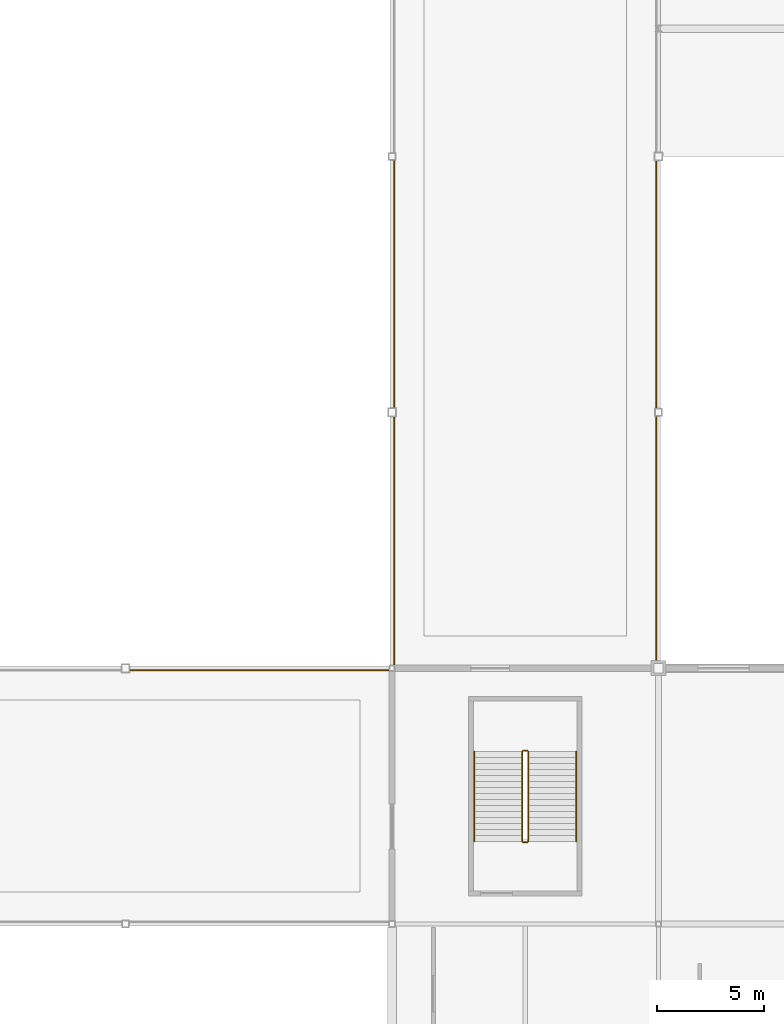
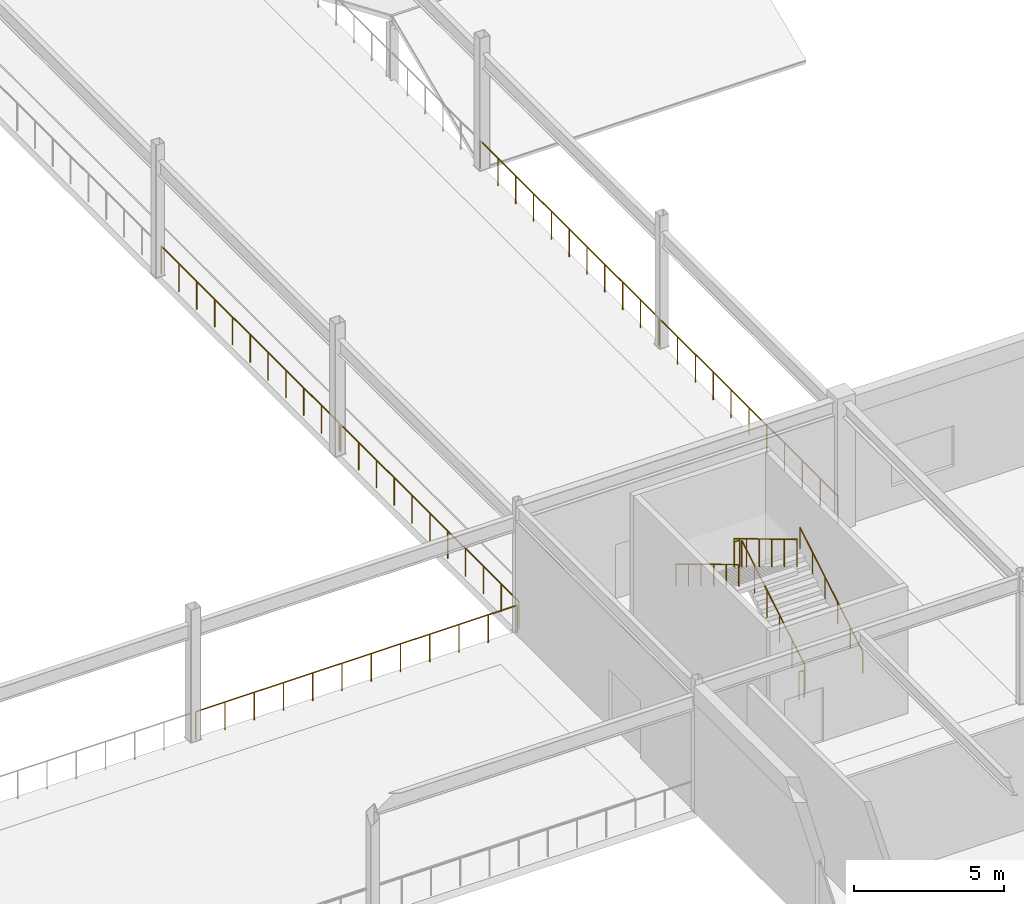
# One storey, part 96 of 105: 11 railings.
"""IFC4 building model written with IfcOpenShell, lengths in metres."""

import ifcopenshell
import ifcopenshell.guid

model = None  # the IFC model being written
_history = None  # IfcOwnerHistory: only IFC2X3 demands one
_inside = {}  # id of a spatial element -> (the spatial element, [elements in it])
_under = {}  # id of a project, library or spatial element -> (it, [spatial elements below it])
_declared = {}  # id of a project -> (the project, [libraries it declares])
_typed = {}  # id of a type object -> (the type object, [elements of that type])
_made_of = {}  # id of a material, layer set ... -> (it, [elements and type objects made of it])


def new_model(schema):
    """Start an empty IFC model of exactly this schema.

    Asked for "IFC4X3", IfcOpenShell would pick the latest addendum, in which some entities
    have other attributes; the version numbers below select the first issue.
    IFC2X3 requires an IfcOwnerHistory on every rooted entity: one is made here for all.
    """
    global model, _history
    if schema == "IFC4X3":
        model = ifcopenshell.file(schema_version=(4, 3, 0, 0))
    else:
        model = ifcopenshell.file(schema=schema)
    _inside.clear()
    _under.clear()
    _declared.clear()
    _typed.clear()
    _made_of.clear()
    _history = None
    if model.schema == "IFC2X3":
        org = make("IfcOrganization", Name="unknown")
        user = make(
            "IfcPersonAndOrganization",
            ThePerson=make("IfcPerson", FamilyName="unknown"),
            TheOrganization=org,
        )
        app = make(
            "IfcApplication",
            ApplicationDeveloper=org,
            Version="unknown",
            ApplicationFullName="unknown",
            ApplicationIdentifier="unknown",
        )
        _history = make(
            "IfcOwnerHistory",
            OwningUser=user,
            OwningApplication=app,
            ChangeAction="ADDED",
            CreationDate=0,
        )
    return model


def make(cls, **values):
    """One entity of the class cls with the attributes given. An attribute that is None is left unset."""
    return model.create_entity(
        cls, **{name: value for name, value in values.items() if value is not None}
    )


def rooted(cls, **values):
    """An entity with a GlobalId (a new one), such as an element, a storey or a relation."""
    return make(cls, GlobalId=ifcopenshell.guid.new(), OwnerHistory=_history, **values)


def si_unit(unit_type, name, prefix=None):
    """IfcSIUnit, for example si_unit("LENGTHUNIT", "METRE", prefix="MILLI")."""
    return make("IfcSIUnit", UnitType=unit_type, Prefix=prefix, Name=name)


def assignment(units):
    """IfcUnitAssignment: the units of a project."""
    return None if units is None else make("IfcUnitAssignment", Units=units)


def point(xyz):
    """IfcCartesianPoint."""
    return None if xyz is None else make("IfcCartesianPoint", Coordinates=xyz)


def direction(xyz):
    """IfcDirection."""
    return None if xyz is None else make("IfcDirection", DirectionRatios=xyz)


def frame(location, z_axis=None, x_axis=None):
    """IfcAxis2Placement3D, a coordinate frame: its origin and axes. An axis left out is left unset."""
    return make(
        "IfcAxis2Placement3D",
        Location=point(location),
        Axis=direction(z_axis),
        RefDirection=direction(x_axis),
    )


def frame_2d(location, x_axis=None):
    """IfcAxis2Placement2D, a coordinate frame in the plane: its origin and x axis."""
    return make(
        "IfcAxis2Placement2D", Location=point(location), RefDirection=direction(x_axis)
    )


def origin():
    """The frame at (0, 0, 0) with its axes left unset."""
    return frame((0.0, 0.0, 0.0))


def origin_2d():
    """The frame at (0, 0) in the plane with its x axis left unset."""
    return frame_2d((0.0, 0.0))


def place(relative_to, where):
    """IfcLocalPlacement: puts the frame where relative to a parent placement (None: the world)."""
    return make(
        "IfcLocalPlacement", PlacementRelTo=relative_to, RelativePlacement=where
    )


def context(
    kind, dimensions, precision=None, world=None, true_north=None, identifier=None
):
    """IfcGeometricRepresentationContext, for example the 3D "Model" context."""
    return make(
        "IfcGeometricRepresentationContext",
        ContextIdentifier=identifier,
        ContextType=kind,
        CoordinateSpaceDimension=dimensions,
        Precision=precision,
        WorldCoordinateSystem=world,
        TrueNorth=true_north,
    )


def subcontext(parent, identifier, kind, view, scale=None):
    """IfcGeometricRepresentationSubContext, for example "Body" below "Model"."""
    return make(
        "IfcGeometricRepresentationSubContext",
        ContextIdentifier=identifier,
        ContextType=kind,
        ParentContext=parent,
        TargetScale=scale,
        TargetView=view,
    )


def project(units=None, contexts=None):
    """IfcProject with its units and contexts."""
    return rooted(
        "IfcProject",
        Name="project",
        RepresentationContexts=contexts,
        UnitsInContext=assignment(units),
    )


def spatial(cls, under=None, at=None, **own):
    """A site, building, storey or space (cls), placed at a placement, below another one or the project."""
    s = rooted(cls, ObjectPlacement=at, **own)
    if under is not None:
        _under.setdefault(under.id(), (under, []))[1].append(s)
    return s


def profile(cls, at=None, kind="AREA", **sizes):
    """A parametric profile (cls). Its sizes go by their IFC names, for example OverallWidth=200.0."""
    return make(cls, ProfileType=kind, Position=at, **sizes)


def circle(**sizes):
    """IfcCircleProfileDef."""
    return profile("IfcCircleProfileDef", **sizes)


def extrude(swept, where, along, depth):
    """IfcExtrudedAreaSolid: the profile swept, set in the frame where, extruded along a direction by depth."""
    return make(
        "IfcExtrudedAreaSolid",
        SweptArea=swept,
        Position=where,
        ExtrudedDirection=direction(along),
        Depth=depth,
    )


def shape(context_of_items, identifier, shape_type, items):
    """IfcShapeRepresentation: the items that make up one representation, for example the "Body"."""
    return make(
        "IfcShapeRepresentation",
        ContextOfItems=context_of_items,
        RepresentationIdentifier=identifier,
        RepresentationType=shape_type,
        Items=items,
    )


def material(Name=None, Category=None):
    """IfcMaterial."""
    return make("IfcMaterial", Name=Name, Category=Category)


def layer(
    of_material, thickness, ventilated=None, Name=None, Category=None, Priority=None
):
    """IfcMaterialLayer: one layer of a wall or slab, of a material (None: an air gap)."""
    return make(
        "IfcMaterialLayer",
        Material=of_material,
        LayerThickness=thickness,
        IsVentilated=ventilated,
        Name=Name,
        Category=Category,
        Priority=Priority,
    )


def layer_set(layers, Name=None):
    """IfcMaterialLayerSet."""
    return make("IfcMaterialLayerSet", MaterialLayers=layers, LayerSetName=Name)


def made_of(thing, what):
    """Note that an element or type object is made of a material, layer set ...; save() writes the relation."""
    if what is not None:
        _made_of.setdefault(what.id(), (what, []))[1].append(thing)
    return thing


def type_object(cls, material=None, **own):
    """A type object (cls), such as IfcWallType, which elements share."""
    return made_of(rooted(cls, **own), material)


def element(
    cls,
    number,
    at=None,
    inside=None,
    cuts=None,
    type_object=None,
    material=None,
    context=None,
    identifier="Body",
    shape_type=None,
    held_by="IfcProductDefinitionShape",
    body=None,
    shapes=None,
    **own,
):
    """One element of the class cls, such as IfcWall. Its Tag is "e" and its number.

    at: its placement. inside: the storey or other place that contains it. cuts: it is an
    opening in that element (IfcRelVoidsElement). A single representation is given by context,
    identifier, shape_type and body (its items); several are given by shapes. held_by: the class
    of the entity that holds the representations. save() writes the other relations.
    """
    e = rooted(cls, Tag="e%d" % number, ObjectPlacement=at, **own)
    if body is not None:
        shapes = [shape(context, identifier, shape_type, body)]
    if shapes is not None:
        e.Representation = make(held_by, Representations=shapes)
    if inside is not None:
        _inside.setdefault(inside.id(), (inside, []))[1].append(e)
    if cuts is not None:
        rooted(
            "IfcRelVoidsElement", RelatingBuildingElement=cuts, RelatedOpeningElement=e
        )
    if type_object is not None:
        _typed.setdefault(type_object.id(), (type_object, []))[1].append(e)
    return made_of(e, material)


def aggregate(whole, parts):
    """IfcRelAggregates: a whole, such as a stair, and the parts it consists of."""
    return rooted("IfcRelAggregates", RelatingObject=whole, RelatedObjects=parts)


def save(model, path):
    """Write the relations noted so far, then the file.

    IfcRelAggregates (storeys below a building ...), IfcRelContainedInSpatialStructure (elements
    in a storey), IfcRelDefinesByType, IfcRelAssociatesMaterial and IfcRelDeclares: one each for
    every whole, place, type object, material and project.
    """
    for whole, parts in _under.values():
        aggregate(whole, parts)
    for where, things in _inside.values():
        rooted(
            "IfcRelContainedInSpatialStructure",
            RelatedElements=things,
            RelatingStructure=where,
        )
    for kind, things in _typed.values():
        rooted("IfcRelDefinesByType", RelatedObjects=things, RelatingType=kind)
    for what, things in _made_of.values():
        rooted("IfcRelAssociatesMaterial", RelatedObjects=things, RelatingMaterial=what)
    for by, libraries in _declared.values():
        rooted("IfcRelDeclares", RelatingContext=by, RelatedDefinitions=libraries)
    model.write(path)


model = new_model("IFC4")

# Units and contexts
model_context = context("Model", 3, precision=1e-05, world=origin(), true_north=direction((0.0, 1.0)))
body_context = subcontext(model_context, "Body", "Model", "MODEL_VIEW")
ifc_project = project(units=[si_unit("LENGTHUNIT", "METRE"), si_unit("AREAUNIT", "SQUARE_METRE"), si_unit("VOLUMEUNIT", "CUBIC_METRE"), si_unit("PLANEANGLEUNIT", "RADIAN"), si_unit("MASSUNIT", "GRAM", prefix="KILO")], contexts=[model_context])

# Site, building, storey
site_placement = place(None, origin())
site = spatial("IfcSite", under=ifc_project, at=site_placement, CompositionType="ELEMENT")
building_placement = place(site_placement, origin())
building = spatial("IfcBuilding", under=site, at=building_placement, Name="Kazenohara Klinker Stadium", CompositionType="ELEMENT")
storey_placement = place(building_placement, frame((0.0, 0.0, 20.39990234375)))
storey = spatial("IfcBuildingStorey", under=building, at=storey_placement, Name="L04", CompositionType="ELEMENT", Elevation=20.39990234375)

# Railings
ifc_material_1 = material(Name="Tempered laminated glass and stainless steel 316 balustrade", Category="steel")
ifc_layer_1 = layer(ifc_material_1, 0.090087890625)
ifc_layer_set_1 = layer_set([ifc_layer_1], Name="Tempered laminated glass and stainless steel 316 balustrade")
railing_type_1 = type_object("IfcRailingType", Name="RL-BAL-1150", PredefinedType="BALUSTRADE", material=ifc_layer_set_1)
railing_1_placement = place(storey_placement, frame((162.550048828125, 35.89990234375, 0.0)))
element("IfcRailing", 1, at=railing_1_placement, inside=storey, type_object=railing_type_1, Name="Roof garden terrace safety balustrade BL01-020", PredefinedType="BALUSTRADE", context=body_context, shape_type="SweptSolid", body=[
    extrude(circle(Radius=0.02392578125, at=origin_2d()), frame((0.0, 0.0, 1.1259765625), z_axis=(1.0, 0.0, 0.0), x_axis=(0.0, 1.0, 0.0)), (0.0, 0.0, 1.0), 12.39990234375),
    extrude(circle(Radius=0.02099609375, at=origin_2d()), origin(), (0.0, 0.0, 1.0), 1.101806640625),
    extrude(circle(Radius=0.02099609375, at=origin_2d()), frame((1.127197265625, 0.0, 0.0)), (0.0, 0.0, 1.0), 1.101806640625),
    extrude(circle(Radius=0.02099609375, at=origin_2d()), frame((2.254638671875, 0.0, 0.0)), (0.0, 0.0, 1.0), 1.101806640625),
    extrude(circle(Radius=0.02099609375, at=origin_2d()), frame((3.3818359375, 0.0, 0.0)), (0.0, 0.0, 1.0), 1.101806640625),
    extrude(circle(Radius=0.02099609375, at=origin_2d()), frame((4.509033203125, 0.0, 0.0)), (0.0, 0.0, 1.0), 1.101806640625),
    extrude(circle(Radius=0.02099609375, at=origin_2d()), frame((5.63623046875, 0.0, 0.0)), (0.0, 0.0, 1.0), 1.101806640625),
    extrude(circle(Radius=0.02099609375, at=origin_2d()), frame((6.763671875, 0.0, 0.0)), (0.0, 0.0, 1.0), 1.101806640625),
    extrude(circle(Radius=0.02099609375, at=origin_2d()), frame((7.890869140625, 0.0, 0.0)), (0.0, 0.0, 1.0), 1.101806640625),
    extrude(circle(Radius=0.02099609375, at=origin_2d()), frame((9.01806640625, 0.0, 0.0)), (0.0, 0.0, 1.0), 1.101806640625),
    extrude(circle(Radius=0.02099609375, at=origin_2d()), frame((10.145263671875, 0.0, 0.0)), (0.0, 0.0, 1.0), 1.101806640625),
    extrude(circle(Radius=0.02099609375, at=origin_2d()), frame((11.272705078125, 0.0, 0.0)), (0.0, 0.0, 1.0), 1.101806640625),
    extrude(circle(Radius=0.02099609375, at=origin_2d()), frame((12.39990234375, 0.0, 0.0)), (0.0, 0.0, 1.0), 1.101806640625),
])
for number, where, name in (
    (2, (175.10009765625, 36.050048828125, 0.0), "Roof garden terrace safety balustrade BL01-021"),
    (3, (187.39990234375, 36.050048828125, 0.0), "Roof garden terrace safety balustrade BL01-022"),
    (4, (175.10009765625, 48.050048828125, 0.0), "Roof garden terrace safety balustrade BL01-023"),
    (5, (187.39990234375, 48.050048828125, 0.0), "Roof garden terrace safety balustrade BL01-024"),
):
    element("IfcRailing", number, at=place(storey_placement, frame(where)), inside=storey, type_object=railing_type_1, Name=name, PredefinedType="BALUSTRADE", context=body_context, shape_type="SweptSolid", body=[
        extrude(circle(Radius=0.02392578125, at=origin_2d()), frame((0.0, 0.0, 1.1259765625), z_axis=(0.0, 1.0, 0.0), x_axis=(-1.0, 0.0, 0.0)), (0.0, 0.0, 1.0), 11.89990234375),
        extrude(circle(Radius=0.02099609375, at=origin_2d()), origin(), (0.0, 0.0, 1.0), 1.101806640625),
        extrude(circle(Radius=0.02099609375, at=origin_2d()), frame((0.0, 1.18994140625, 0.0)), (0.0, 0.0, 1.0), 1.101806640625),
        extrude(circle(Radius=0.02099609375, at=origin_2d()), frame((0.0, 2.3798828125, 0.0)), (0.0, 0.0, 1.0), 1.101806640625),
        extrude(circle(Radius=0.02099609375, at=origin_2d()), frame((0.0, 3.570068359375, 0.0)), (0.0, 0.0, 1.0), 1.101806640625),
        extrude(circle(Radius=0.02099609375, at=origin_2d()), frame((0.0, 4.760009765625, 0.0)), (0.0, 0.0, 1.0), 1.101806640625),
        extrude(circle(Radius=0.02099609375, at=origin_2d()), frame((0.0, 5.949951171875, 0.0)), (0.0, 0.0, 1.0), 1.101806640625),
        extrude(circle(Radius=0.02099609375, at=origin_2d()), frame((0.0, 7.139892578125, 0.0)), (0.0, 0.0, 1.0), 1.101806640625),
        extrude(circle(Radius=0.02099609375, at=origin_2d()), frame((0.0, 8.329833984375, 0.0)), (0.0, 0.0, 1.0), 1.101806640625),
        extrude(circle(Radius=0.02099609375, at=origin_2d()), frame((0.0, 9.52001953125, 0.0)), (0.0, 0.0, 1.0), 1.101806640625),
        extrude(circle(Radius=0.02099609375, at=origin_2d()), frame((0.0, 10.7099609375, 0.0)), (0.0, 0.0, 1.0), 1.101806640625),
        extrude(circle(Radius=0.02099609375, at=origin_2d()), frame((0.0, 11.89990234375, 0.0)), (0.0, 0.0, 1.0), 1.101806640625),
    ])
ifc_material_2 = material(Name="Brushed stainless steel 304 handrail", Category="steel")
ifc_layer_2 = layer(ifc_material_2, 0.050048828125)
ifc_layer_set_2 = layer_set([ifc_layer_2], Name="Brushed stainless steel 304 handrail")
railing_type_2 = type_object("IfcRailingType", Name="RL-HND-900", PredefinedType="HANDRAIL", material=ifc_layer_set_2)
railing_2_placement = place(storey_placement, frame((183.639892578125, 27.8798828125, 0.1689453125)))
element("IfcRailing", 6, at=railing_2_placement, inside=storey, type_object=railing_type_2, Name="L04 ST16 stair handrail 1", PredefinedType="HANDRAIL", context=body_context, shape_type="SweptSolid", body=[
    extrude(circle(Radius=0.02392578125, at=origin_2d()), frame((0.0, 0.0, 0.8759765625), z_axis=(0.0, 0.856489757249, 0.516164020179), x_axis=(-1.0, 0.0, 0.0)), (0.0, 0.0, 1.0), 4.904052734375),
    extrude(circle(Radius=0.02099609375, at=origin_2d()), origin(), (0.0, 0.0, 1.0), 0.851806640625),
    extrude(circle(Radius=0.02099609375, at=origin_2d()), frame((0.0, 0.840087890625, 0.50634765625)), (0.0, 0.0, 1.0), 0.851806640625),
    extrude(circle(Radius=0.02099609375, at=origin_2d()), frame((0.0, 1.68017578125, 1.012451171875)), (0.0, 0.0, 1.0), 0.851806640625),
    extrude(circle(Radius=0.02099609375, at=origin_2d()), frame((0.0, 2.52001953125, 1.518798828125)), (0.0, 0.0, 1.0), 0.851806640625),
    extrude(circle(Radius=0.02099609375, at=origin_2d()), frame((0.0, 3.360107421875, 2.02490234375)), (0.0, 0.0, 1.0), 0.851806640625),
    extrude(circle(Radius=0.02099609375, at=origin_2d()), frame((0.0, 4.2001953125, 2.53125)), (0.0, 0.0, 1.0), 0.851806640625),
])
railing_3_placement = place(storey_placement, frame((178.860107421875, 32.080078125, 2.868896484375)))
element("IfcRailing", 7, at=railing_3_placement, inside=storey, type_object=railing_type_2, Name="L04 ST16 stair handrail 2", PredefinedType="HANDRAIL", context=body_context, shape_type="SweptSolid", body=[
    extrude(circle(Radius=0.02392578125, at=origin_2d()), frame((0.0, 0.0, 0.8759765625), z_axis=(0.0, -0.856489757249, 0.516164020179), x_axis=(1.0, 0.0, 0.0)), (0.0, 0.0, 1.0), 4.904052734375),
    extrude(circle(Radius=0.02099609375, at=origin_2d()), origin(), (0.0, 0.0, 1.0), 0.851806640625),
    extrude(circle(Radius=0.02099609375, at=origin_2d()), frame((0.0, -0.840087890625, 0.50634765625)), (0.0, 0.0, 1.0), 0.851806640625),
    extrude(circle(Radius=0.02099609375, at=origin_2d()), frame((0.0, -1.68017578125, 1.012451171875)), (0.0, 0.0, 1.0), 0.851806640625),
    extrude(circle(Radius=0.02099609375, at=origin_2d()), frame((0.0, -2.52001953125, 1.518798828125)), (0.0, 0.0, 1.0), 0.851806640625),
    extrude(circle(Radius=0.02099609375, at=origin_2d()), frame((0.0, -3.360107421875, 2.02490234375)), (0.0, 0.0, 1.0), 0.851806640625),
    extrude(circle(Radius=0.02099609375, at=origin_2d()), frame((0.0, -4.2001953125, 2.53125)), (0.0, 0.0, 1.0), 0.851806640625),
])
ifc_material_3 = material(Name="Painted steel stairwell guardrail", Category="steel")
ifc_layer_3 = layer(ifc_material_3, 0.06005859375)
ifc_layer_set_3 = layer_set([ifc_layer_3], Name="Painted steel stairwell guardrail")
railing_type_3 = type_object("IfcRailingType", Name="RL-STG-1120", PredefinedType="GUARDRAIL", material=ifc_layer_set_3)
railing_4_placement = place(storey_placement, frame((181.39990234375, 27.8798828125, 0.1689453125)))
element("IfcRailing", 8, at=railing_4_placement, inside=storey, type_object=railing_type_3, Name="L04 ST16 stair guard 1", PredefinedType="GUARDRAIL", context=body_context, shape_type="SweptSolid", body=[
    extrude(circle(Radius=0.02392578125, at=origin_2d()), frame((0.0, 0.0, 1.1259765625), z_axis=(0.0, 0.856489757249, 0.516164020179), x_axis=(-1.0, 0.0, 0.0)), (0.0, 0.0, 1.0), 4.904052734375),
    extrude(circle(Radius=0.02099609375, at=origin_2d()), origin(), (0.0, 0.0, 1.0), 1.101806640625),
    extrude(circle(Radius=0.02099609375, at=origin_2d()), frame((0.0, 0.840087890625, 0.50634765625)), (0.0, 0.0, 1.0), 1.101806640625),
    extrude(circle(Radius=0.02099609375, at=origin_2d()), frame((0.0, 1.68017578125, 1.012451171875)), (0.0, 0.0, 1.0), 1.101806640625),
    extrude(circle(Radius=0.02099609375, at=origin_2d()), frame((0.0, 2.52001953125, 1.518798828125)), (0.0, 0.0, 1.0), 1.101806640625),
    extrude(circle(Radius=0.02099609375, at=origin_2d()), frame((0.0, 3.360107421875, 2.02490234375)), (0.0, 0.0, 1.0), 1.101806640625),
    extrude(circle(Radius=0.02099609375, at=origin_2d()), frame((0.0, 4.2001953125, 2.53125)), (0.0, 0.0, 1.0), 1.101806640625),
])
railing_5_placement = place(storey_placement, frame((181.35009765625, 32.1298828125, 2.7001953125)))
element("IfcRailing", 9, at=railing_5_placement, inside=storey, type_object=railing_type_3, Name="L04 ST16 stair guard 2", PredefinedType="GUARDRAIL", context=body_context, shape_type="SweptSolid", body=[
    extrude(circle(Radius=0.02392578125, at=origin_2d()), frame((0.0, 0.0, 1.1259765625), z_axis=(-1.0, 0.0, 0.0), x_axis=(0.0, -1.0, 0.0)), (0.0, 0.0, 1.0), 0.2001953125),
    extrude(circle(Radius=0.02099609375, at=origin_2d()), origin(), (0.0, 0.0, 1.0), 1.101806640625),
    extrude(circle(Radius=0.02099609375, at=origin_2d()), frame((-0.2001953125, 0.0, 0.0)), (0.0, 0.0, 1.0), 1.101806640625),
])
railing_6_placement = place(storey_placement, frame((181.10009765625, 32.080078125, 2.868896484375)))
element("IfcRailing", 10, at=railing_6_placement, inside=storey, type_object=railing_type_3, Name="L04 ST16 stair guard 3", PredefinedType="GUARDRAIL", context=body_context, shape_type="SweptSolid", body=[
    extrude(circle(Radius=0.02392578125, at=origin_2d()), frame((0.0, 0.0, 1.1259765625), z_axis=(0.0, -0.856489757249, 0.516164020179), x_axis=(1.0, 0.0, 0.0)), (0.0, 0.0, 1.0), 4.904052734375),
    extrude(circle(Radius=0.02099609375, at=origin_2d()), origin(), (0.0, 0.0, 1.0), 1.101806640625),
    extrude(circle(Radius=0.02099609375, at=origin_2d()), frame((0.0, -0.840087890625, 0.50634765625)), (0.0, 0.0, 1.0), 1.101806640625),
    extrude(circle(Radius=0.02099609375, at=origin_2d()), frame((0.0, -1.68017578125, 1.012451171875)), (0.0, 0.0, 1.0), 1.101806640625),
    extrude(circle(Radius=0.02099609375, at=origin_2d()), frame((0.0, -2.52001953125, 1.518798828125)), (0.0, 0.0, 1.0), 1.101806640625),
    extrude(circle(Radius=0.02099609375, at=origin_2d()), frame((0.0, -3.360107421875, 2.02490234375)), (0.0, 0.0, 1.0), 1.101806640625),
    extrude(circle(Radius=0.02099609375, at=origin_2d()), frame((0.0, -4.2001953125, 2.53125)), (0.0, 0.0, 1.0), 1.101806640625),
])
railing_7_placement = place(storey_placement, frame((181.35009765625, 27.830078125, 0.0)))
element("IfcRailing", 11, at=railing_7_placement, inside=storey, type_object=railing_type_3, Name="L04 ST16 stair guard 4", PredefinedType="GUARDRAIL", context=body_context, shape_type="SweptSolid", body=[
    extrude(circle(Radius=0.02392578125, at=origin_2d()), frame((0.0, 0.0, 1.1259765625), z_axis=(-1.0, 0.0, 0.0), x_axis=(0.0, -1.0, 0.0)), (0.0, 0.0, 1.0), 0.2001953125),
    extrude(circle(Radius=0.02099609375, at=origin_2d()), origin(), (0.0, 0.0, 1.0), 1.101806640625),
    extrude(circle(Radius=0.02099609375, at=origin_2d()), frame((-0.2001953125, 0.0, 0.0)), (0.0, 0.0, 1.0), 1.101806640625),
])

save(model, "model.ifc")
